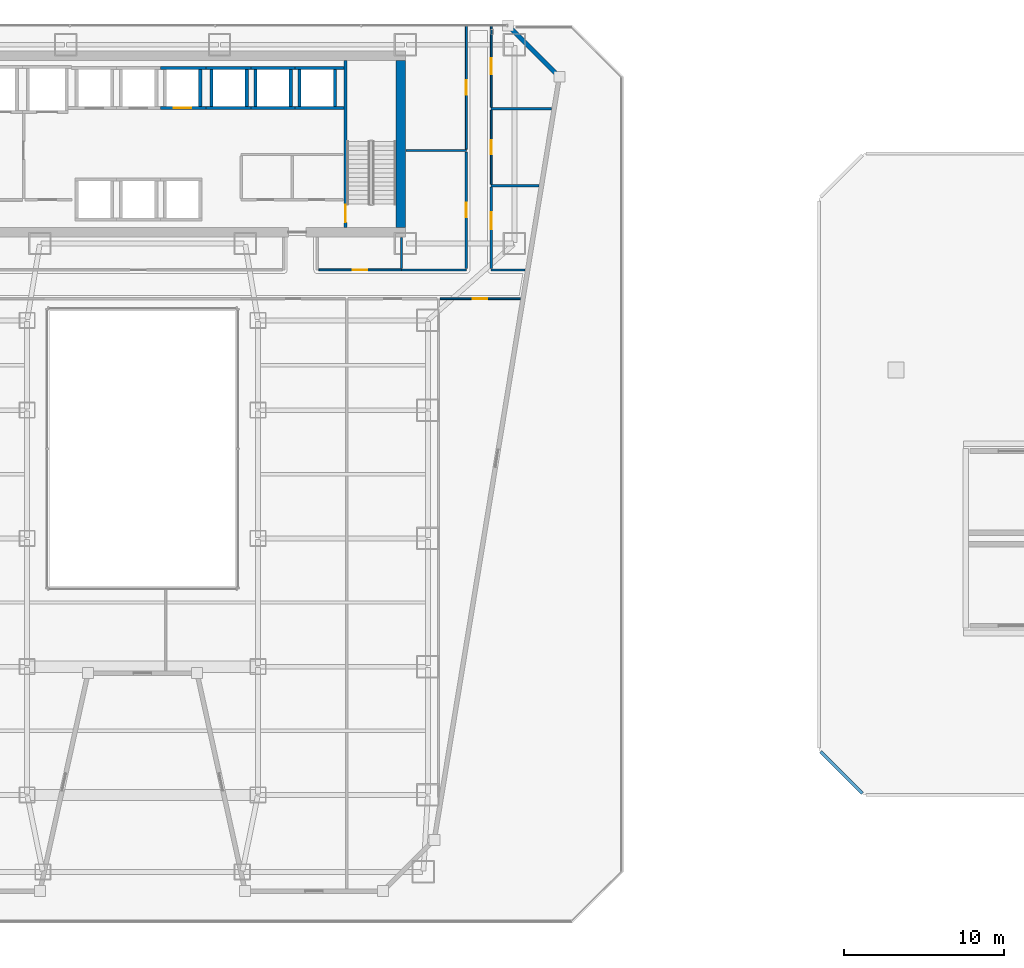
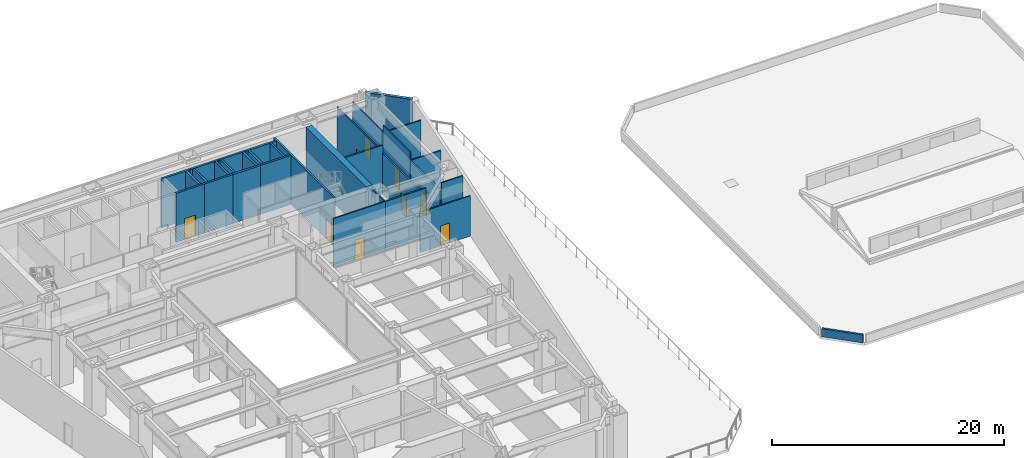
# One storey, part 23 of 29: 32 walls, 9 doors, 9 openings.
"""IFC4 building model written with IfcOpenShell, lengths in metres."""

import ifcopenshell
import ifcopenshell.guid

model = None  # the IFC model being written
_history = None  # IfcOwnerHistory: only IFC2X3 demands one
_inside = {}  # id of a spatial element -> (the spatial element, [elements in it])
_under = {}  # id of a project, library or spatial element -> (it, [spatial elements below it])
_declared = {}  # id of a project -> (the project, [libraries it declares])
_typed = {}  # id of a type object -> (the type object, [elements of that type])
_made_of = {}  # id of a material, layer set ... -> (it, [elements and type objects made of it])


def new_model(schema):
    """Start an empty IFC model of exactly this schema.

    Asked for "IFC4X3", IfcOpenShell would pick the latest addendum, in which some entities
    have other attributes; the version numbers below select the first issue.
    IFC2X3 requires an IfcOwnerHistory on every rooted entity: one is made here for all.
    """
    global model, _history
    if schema == "IFC4X3":
        model = ifcopenshell.file(schema_version=(4, 3, 0, 0))
    else:
        model = ifcopenshell.file(schema=schema)
    _inside.clear()
    _under.clear()
    _declared.clear()
    _typed.clear()
    _made_of.clear()
    _history = None
    if model.schema == "IFC2X3":
        org = make("IfcOrganization", Name="unknown")
        user = make(
            "IfcPersonAndOrganization",
            ThePerson=make("IfcPerson", FamilyName="unknown"),
            TheOrganization=org,
        )
        app = make(
            "IfcApplication",
            ApplicationDeveloper=org,
            Version="unknown",
            ApplicationFullName="unknown",
            ApplicationIdentifier="unknown",
        )
        _history = make(
            "IfcOwnerHistory",
            OwningUser=user,
            OwningApplication=app,
            ChangeAction="ADDED",
            CreationDate=0,
        )
    return model


def make(cls, **values):
    """One entity of the class cls with the attributes given. An attribute that is None is left unset."""
    return model.create_entity(
        cls, **{name: value for name, value in values.items() if value is not None}
    )


def rooted(cls, **values):
    """An entity with a GlobalId (a new one), such as an element, a storey or a relation."""
    return make(cls, GlobalId=ifcopenshell.guid.new(), OwnerHistory=_history, **values)


def si_unit(unit_type, name, prefix=None):
    """IfcSIUnit, for example si_unit("LENGTHUNIT", "METRE", prefix="MILLI")."""
    return make("IfcSIUnit", UnitType=unit_type, Prefix=prefix, Name=name)


def assignment(units):
    """IfcUnitAssignment: the units of a project."""
    return None if units is None else make("IfcUnitAssignment", Units=units)


def point(xyz):
    """IfcCartesianPoint."""
    return None if xyz is None else make("IfcCartesianPoint", Coordinates=xyz)


def direction(xyz):
    """IfcDirection."""
    return None if xyz is None else make("IfcDirection", DirectionRatios=xyz)


def frame(location, z_axis=None, x_axis=None):
    """IfcAxis2Placement3D, a coordinate frame: its origin and axes. An axis left out is left unset."""
    return make(
        "IfcAxis2Placement3D",
        Location=point(location),
        Axis=direction(z_axis),
        RefDirection=direction(x_axis),
    )


def frame_2d(location, x_axis=None):
    """IfcAxis2Placement2D, a coordinate frame in the plane: its origin and x axis."""
    return make(
        "IfcAxis2Placement2D", Location=point(location), RefDirection=direction(x_axis)
    )


def origin():
    """The frame at (0, 0, 0) with its axes left unset."""
    return frame((0.0, 0.0, 0.0))


def place(relative_to, where):
    """IfcLocalPlacement: puts the frame where relative to a parent placement (None: the world)."""
    return make(
        "IfcLocalPlacement", PlacementRelTo=relative_to, RelativePlacement=where
    )


def context(
    kind, dimensions, precision=None, world=None, true_north=None, identifier=None
):
    """IfcGeometricRepresentationContext, for example the 3D "Model" context."""
    return make(
        "IfcGeometricRepresentationContext",
        ContextIdentifier=identifier,
        ContextType=kind,
        CoordinateSpaceDimension=dimensions,
        Precision=precision,
        WorldCoordinateSystem=world,
        TrueNorth=true_north,
    )


def subcontext(parent, identifier, kind, view, scale=None):
    """IfcGeometricRepresentationSubContext, for example "Body" below "Model"."""
    return make(
        "IfcGeometricRepresentationSubContext",
        ContextIdentifier=identifier,
        ContextType=kind,
        ParentContext=parent,
        TargetScale=scale,
        TargetView=view,
    )


def project(units=None, contexts=None):
    """IfcProject with its units and contexts."""
    return rooted(
        "IfcProject",
        Name="project",
        RepresentationContexts=contexts,
        UnitsInContext=assignment(units),
    )


def spatial(cls, under=None, at=None, **own):
    """A site, building, storey or space (cls), placed at a placement, below another one or the project."""
    s = rooted(cls, ObjectPlacement=at, **own)
    if under is not None:
        _under.setdefault(under.id(), (under, []))[1].append(s)
    return s


def profile(cls, at=None, kind="AREA", **sizes):
    """A parametric profile (cls). Its sizes go by their IFC names, for example OverallWidth=200.0."""
    return make(cls, ProfileType=kind, Position=at, **sizes)


def rectangle(**sizes):
    """IfcRectangleProfileDef."""
    return profile("IfcRectangleProfileDef", **sizes)


def extrude(swept, where, along, depth):
    """IfcExtrudedAreaSolid: the profile swept, set in the frame where, extruded along a direction by depth."""
    return make(
        "IfcExtrudedAreaSolid",
        SweptArea=swept,
        Position=where,
        ExtrudedDirection=direction(along),
        Depth=depth,
    )


def shape(context_of_items, identifier, shape_type, items):
    """IfcShapeRepresentation: the items that make up one representation, for example the "Body"."""
    return make(
        "IfcShapeRepresentation",
        ContextOfItems=context_of_items,
        RepresentationIdentifier=identifier,
        RepresentationType=shape_type,
        Items=items,
    )


def material(Name=None, Category=None):
    """IfcMaterial."""
    return make("IfcMaterial", Name=Name, Category=Category)


def layer(
    of_material, thickness, ventilated=None, Name=None, Category=None, Priority=None
):
    """IfcMaterialLayer: one layer of a wall or slab, of a material (None: an air gap)."""
    return make(
        "IfcMaterialLayer",
        Material=of_material,
        LayerThickness=thickness,
        IsVentilated=ventilated,
        Name=Name,
        Category=Category,
        Priority=Priority,
    )


def layer_set(layers, Name=None):
    """IfcMaterialLayerSet."""
    return make("IfcMaterialLayerSet", MaterialLayers=layers, LayerSetName=Name)


def made_of(thing, what):
    """Note that an element or type object is made of a material, layer set ...; save() writes the relation."""
    if what is not None:
        _made_of.setdefault(what.id(), (what, []))[1].append(thing)
    return thing


def type_object(cls, material=None, **own):
    """A type object (cls), such as IfcWallType, which elements share."""
    return made_of(rooted(cls, **own), material)


def element(
    cls,
    number,
    at=None,
    inside=None,
    cuts=None,
    type_object=None,
    material=None,
    context=None,
    identifier="Body",
    shape_type=None,
    held_by="IfcProductDefinitionShape",
    body=None,
    shapes=None,
    **own,
):
    """One element of the class cls, such as IfcWall. Its Tag is "e" and its number.

    at: its placement. inside: the storey or other place that contains it. cuts: it is an
    opening in that element (IfcRelVoidsElement). A single representation is given by context,
    identifier, shape_type and body (its items); several are given by shapes. held_by: the class
    of the entity that holds the representations. save() writes the other relations.
    """
    e = rooted(cls, Tag="e%d" % number, ObjectPlacement=at, **own)
    if body is not None:
        shapes = [shape(context, identifier, shape_type, body)]
    if shapes is not None:
        e.Representation = make(held_by, Representations=shapes)
    if inside is not None:
        _inside.setdefault(inside.id(), (inside, []))[1].append(e)
    if cuts is not None:
        rooted(
            "IfcRelVoidsElement", RelatingBuildingElement=cuts, RelatedOpeningElement=e
        )
    if type_object is not None:
        _typed.setdefault(type_object.id(), (type_object, []))[1].append(e)
    return made_of(e, material)


def fill(opening, filler):
    """IfcRelFillsElement: the door or window that sits in an opening."""
    return rooted(
        "IfcRelFillsElement",
        RelatingOpeningElement=opening,
        RelatedBuildingElement=filler,
    )


def aggregate(whole, parts):
    """IfcRelAggregates: a whole, such as a stair, and the parts it consists of."""
    return rooted("IfcRelAggregates", RelatingObject=whole, RelatedObjects=parts)


def save(model, path):
    """Write the relations noted so far, then the file.

    IfcRelAggregates (storeys below a building ...), IfcRelContainedInSpatialStructure (elements
    in a storey), IfcRelDefinesByType, IfcRelAssociatesMaterial and IfcRelDeclares: one each for
    every whole, place, type object, material and project.
    """
    for whole, parts in _under.values():
        aggregate(whole, parts)
    for where, things in _inside.values():
        rooted(
            "IfcRelContainedInSpatialStructure",
            RelatedElements=things,
            RelatingStructure=where,
        )
    for kind, things in _typed.values():
        rooted("IfcRelDefinesByType", RelatedObjects=things, RelatingType=kind)
    for what, things in _made_of.values():
        rooted("IfcRelAssociatesMaterial", RelatedObjects=things, RelatingMaterial=what)
    for by, libraries in _declared.values():
        rooted("IfcRelDeclares", RelatingContext=by, RelatedDefinitions=libraries)
    model.write(path)


model = new_model("IFC4")

# Units and contexts
model_context = context("Model", 3, precision=1e-05, world=origin(), true_north=direction((0.0, 1.0)))
body_context = subcontext(model_context, "Body", "Model", "MODEL_VIEW")
ifc_project = project(units=[si_unit("LENGTHUNIT", "METRE"), si_unit("AREAUNIT", "SQUARE_METRE"), si_unit("VOLUMEUNIT", "CUBIC_METRE"), si_unit("PLANEANGLEUNIT", "RADIAN"), si_unit("MASSUNIT", "GRAM", prefix="KILO")], contexts=[model_context])

# Site, building, storey
site_placement = place(None, origin())
site = spatial("IfcSite", under=ifc_project, at=site_placement, CompositionType="ELEMENT")
building_placement = place(site_placement, origin())
building = spatial("IfcBuilding", under=site, at=building_placement, Name="Saevonmaru Cultural Tower", CompositionType="ELEMENT")
storey_placement = place(building_placement, frame((0.0, 0.0, 27.60009765625)))
storey = spatial("IfcBuildingStorey", under=building, at=storey_placement, Name="L05", CompositionType="ELEMENT", Elevation=27.60009765625)

# Walls
ifc_material_1 = material(Name="Concrete C60/75", Category="concrete")
ifc_layer_1 = layer(ifc_material_1, 0.60009765625, Name="Concrete C60/75")
ifc_layer_set_1 = layer_set([ifc_layer_1], Name="Concrete C60/75")
wall_type_1 = type_object("IfcWallType", Name="WL-CORE-600", PredefinedType="SHEAR", material=ifc_layer_set_1)
wall_1_placement = place(storey_placement, frame((46.10009765625, 43.39990234375, 0.0), z_axis=(0.0, 0.0, 1.0), x_axis=(0.0, 1.0, 0.0)))
element("IfcWall", 1, at=wall_1_placement, inside=storey, type_object=wall_type_1, Name="L05 Tower RC core shear wall E", PredefinedType="SHEAR", context=body_context, shape_type="SweptSolid", body=[
    extrude(rectangle(XDim=10.400146484375, YDim=0.60009765625, at=frame_2d((5.2001953125, 0.0))), origin(), (0.0, 0.0, 1.0), 5.14990234375),
])
ifc_material_2 = material(Name="Granite-Clad Precast Concrete C40/50", Category="masonry")
ifc_layer_2 = layer(ifc_material_2, 0.280029296875, Name="Granite-Clad Precast Concrete C40/50")
ifc_layer_set_2 = layer_set([ifc_layer_2], Name="Granite-Clad Precast Concrete C40/50")
wall_type_2 = type_object("IfcWallType", Name="WL-EXT-SPANDREL-280", PredefinedType="STANDARD", material=ifc_layer_set_2)
wall_2_placement = place(storey_placement, frame((55.886962890625, 52.9130859375, 0.0), z_axis=(0.0, 0.0, 1.0), x_axis=(-0.707106781187, 0.707106781187, 0.0)))
element("IfcWall", 2, at=wall_2_placement, inside=storey, type_object=wall_type_2, Name="L05 Setback Terrace Portal Wall E9", PredefinedType="STANDARD", context=body_context, shape_type="SweptSolid", body=[
    extrude(rectangle(XDim=4.205810546875, YDim=0.280029296875, at=frame_2d((2.10302734375, 0.0))), origin(), (0.0, 0.0, 1.0), 5.14990234375),
])
ifc_material_3 = material(Name="Precast concrete C40/50", Category="concrete")
ifc_layer_3 = layer(ifc_material_3, 0.18994140625, Name="Precast concrete C40/50")
ifc_layer_set_3 = layer_set([ifc_layer_3], Name="Precast concrete C40/50")
wall_type_3 = type_object("IfcWallType", Name="WL-PARAPET-190", PredefinedType="PARAPET", material=ifc_layer_set_3)
wall_3_placement = place(storey_placement, frame((72.299072265625, 10.700927734375, 0.0), z_axis=(0.0, 0.0, 1.0), x_axis=(0.707106781187, -0.707106781187, 0.0)))
element("IfcWall", 3, at=wall_3_placement, inside=storey, type_object=wall_type_3, Name="Central Library Roof Parapet Wall E1", PredefinedType="PARAPET", context=body_context, shape_type="SweptSolid", body=[
    extrude(rectangle(XDim=3.679443359375, YDim=0.18994140625, at=frame_2d((1.83984375, 0.0))), origin(), (0.0, 0.0, 1.0), 0.849853515625),
])

# Wall, opening, door
ifc_material_4 = material(Name="Gypsum Fireboard Partition", Category="gypsum")
ifc_layer_4 = layer(ifc_material_4, 0.14990234375, Name="Gypsum Fireboard Partition")
ifc_layer_set_4 = layer_set([ifc_layer_4], Name="Gypsum Fireboard Partition")
wall_type_4 = type_object("IfcWallType", Name="WL-PART-FIRE-150", PredefinedType="PARTITIONING", material=ifc_layer_set_4)
wall_4_placement = place(storey_placement, frame((51.75, 40.83740234375, 0.0), z_axis=(0.0, 0.0, 1.0), x_axis=(0.0, 1.0, 0.0)))
wall_4 = element("IfcWall", 4, at=wall_4_placement, inside=storey, type_object=wall_type_4, Name="L05 Permanent Exhibition Gallery Corridor Wall", PredefinedType="PARTITIONING", context=body_context, shape_type="SweptSolid", body=[
    extrude(rectangle(XDim=5.0751953125, YDim=0.14990234375, at=frame_2d((2.53759765625, 0.0))), origin(), (0.0, 0.0, 1.0), 4.23486328125),
])
opening_1_placement = place(wall_4_placement, frame((2.452880859375, 0.0, 0.0)))
opening_1 = element("IfcOpeningElement", 5, at=opening_1_placement, cuts=wall_4, Name="Opening ID-1", PredefinedType="OPENING", context=body_context, shape_type="SweptSolid", body=[
    extrude(rectangle(XDim=1.050048828125, YDim=2.14990234375, at=frame_2d((0.52490234375, 1.074951171875))), frame((0.0, 0.0849609375, 0.0), z_axis=(0.0, -1.0, 0.0), x_axis=(1.0, 0.0, 0.0)), (0.0, 0.0, 1.0), 0.169921875),
])
ifc_material_5 = material(Name="Satin Bronze Anodised Aluminium", Category="aluminium")
door_type_1 = type_object("IfcDoorType", Name="DR-INT-1050", OperationType="SINGLE_SWING_LEFT", PredefinedType="DOOR", material=ifc_material_5)
door_1_placement = place(opening_1_placement, origin())
door_1 = element("IfcDoor", 6, at=door_1_placement, inside=storey, type_object=door_type_1, Name="L05 Permanent Exhibition Gallery Door", OperationType="SINGLE_SWING_RIGHT", OverallHeight=2.14990234375, OverallWidth=1.050048828125, PredefinedType="DOOR", context=body_context, shape_type="SweptSolid", body=[
    extrude(rectangle(XDim=1.050048828125, YDim=2.14990234375, at=frame_2d((0.52490234375, 1.074951171875))), frame((0.0, 0.02490234375, 0.0), z_axis=(0.0, -1.0, 0.0), x_axis=(1.0, 0.0, 0.0)), (0.0, 0.0, 1.0), 0.050048828125),
])
fill(opening_1, door_1)

ifc_layer_5 = layer(ifc_material_4, 0.1201171875, Name="Gypsum Fireboard Partition")
ifc_layer_set_5 = layer_set([ifc_layer_5], Name="Gypsum Fireboard Partition")
wall_type_5 = type_object("IfcWallType", Name="WL-PART-GYP-120", PredefinedType="PARTITIONING", material=ifc_layer_set_5)
wall_5_placement = place(storey_placement, frame((50.199951171875, 48.2900390625, 0.0), z_axis=(0.0, 0.0, 1.0), x_axis=(0.0, 1.0, 0.0)))
wall_5 = element("IfcWall", 7, at=wall_5_placement, inside=storey, type_object=wall_type_5, Name="L05 Curatorial Research Office Corridor Wall", PredefinedType="PARTITIONING", context=body_context, shape_type="SweptSolid", body=[
    extrude(rectangle(XDim=7.705078125, YDim=0.1201171875, at=frame_2d((3.8525390625, 0.0))), origin(), (0.0, 0.0, 1.0), 4.434814453125),
])
opening_2_placement = place(wall_5_placement, frame((3.402099609375, 0.0, 0.0)))
opening_2 = element("IfcOpeningElement", 8, at=opening_2_placement, cuts=wall_5, Name="Opening ID-2", PredefinedType="OPENING", context=body_context, shape_type="SweptSolid", body=[
    extrude(rectangle(XDim=0.89990234375, YDim=2.10009765625, at=frame_2d((0.449951171875, 1.050048828125))), frame((0.0, 0.070068359375, 0.0), z_axis=(0.0, -1.0, 0.0), x_axis=(1.0, 0.0, 0.0)), (0.0, 0.0, 1.0), 0.14013671875),
])
ifc_material_6 = material(Name="Acoustic Stained Oak Timber", Category="wood")
door_type_2 = type_object("IfcDoorType", Name="DR-INT-900", OperationType="SINGLE_SWING_RIGHT", PredefinedType="DOOR", material=ifc_material_6)
door_2_placement = place(opening_2_placement, origin())
door_2 = element("IfcDoor", 9, at=door_2_placement, inside=storey, type_object=door_type_2, Name="L05 Curatorial Research Office Door", OperationType="SINGLE_SWING_LEFT", OverallHeight=2.10009765625, OverallWidth=0.89990234375, PredefinedType="DOOR", context=body_context, shape_type="SweptSolid", body=[
    extrude(rectangle(XDim=0.89990234375, YDim=2.10009765625, at=frame_2d((0.449951171875, 1.050048828125))), frame((0.0, 0.02490234375, 0.0), z_axis=(0.0, -1.0, 0.0), x_axis=(1.0, 0.0, 0.0)), (0.0, 0.0, 1.0), 0.050048828125),
])
fill(opening_2, door_2)

wall_6_placement = place(storey_placement, frame((51.75, 46.08740234375, 0.0), z_axis=(0.0, 0.0, 1.0), x_axis=(0.0, 1.0, 0.0)))
wall_6 = element("IfcWall", 10, at=wall_6_placement, inside=storey, type_object=wall_type_5, Name="L05 Design Seminar Classroom Corridor Wall", PredefinedType="PARTITIONING", context=body_context, shape_type="SweptSolid", body=[
    extrude(rectangle(XDim=4.625, YDim=0.1201171875, at=frame_2d((2.3125, 0.0))), origin(), (0.0, 0.0, 1.0), 5.14990234375),
])
opening_3_placement = place(wall_6_placement, frame((1.863037109375, 0.0, 0.0)))
opening_3 = element("IfcOpeningElement", 11, at=opening_3_placement, cuts=wall_6, Name="Opening ID-2", PredefinedType="OPENING", context=body_context, shape_type="SweptSolid", body=[
    extrude(rectangle(XDim=0.89990234375, YDim=2.10009765625, at=frame_2d((0.449951171875, 1.050048828125))), frame((0.0, 0.070068359375, 0.0), z_axis=(0.0, -1.0, 0.0), x_axis=(1.0, 0.0, 0.0)), (0.0, 0.0, 1.0), 0.14013671875),
])
door_3_placement = place(opening_3_placement, origin())
door_3 = element("IfcDoor", 12, at=door_3_placement, inside=storey, type_object=door_type_2, Name="L05 Design Seminar Classroom Door", OperationType="SINGLE_SWING_LEFT", OverallHeight=2.10009765625, OverallWidth=0.89990234375, PredefinedType="DOOR", context=body_context, shape_type="SweptSolid", body=[
    extrude(rectangle(XDim=0.89990234375, YDim=2.10009765625, at=frame_2d((0.449951171875, 1.050048828125))), frame((0.0, 0.02490234375, 0.0), z_axis=(0.0, -1.0, 0.0), x_axis=(1.0, 0.0, 0.0)), (0.0, 0.0, 1.0), 0.050048828125),
])
fill(opening_3, door_3)

wall_7_placement = place(storey_placement, frame((51.75, 50.887451171875, 0.0), z_axis=(0.0, 0.0, 1.0), x_axis=(0.0, 1.0, 0.0)))
wall_7 = element("IfcWall", 13, at=wall_7_placement, inside=storey, type_object=wall_type_5, Name="L05 Museum Espresso Cafe Corridor Wall", PredefinedType="PARTITIONING", context=body_context, shape_type="SweptSolid", body=[
    extrude(rectangle(XDim=5.107666015625, YDim=0.1201171875, at=frame_2d((2.5537109375, 0.0))), origin(), (0.0, 0.0, 1.0), 4.434814453125),
])
opening_4_placement = place(wall_7_placement, frame((2.053955078125, 0.0, 0.0)))
opening_4 = element("IfcOpeningElement", 14, at=opening_4_placement, cuts=wall_7, Name="Opening ID-1B", PredefinedType="OPENING", context=body_context, shape_type="SweptSolid", body=[
    extrude(rectangle(XDim=1.0, YDim=2.14990234375, at=frame_2d((0.5, 1.074951171875))), frame((0.0, 0.070068359375, 0.0), z_axis=(0.0, -1.0, 0.0), x_axis=(1.0, 0.0, 0.0)), (0.0, 0.0, 1.0), 0.14013671875),
])
door_type_3 = type_object("IfcDoorType", Name="DR-INT-1000", OperationType="SINGLE_SWING_RIGHT", PredefinedType="DOOR", material=ifc_material_6)
door_4_placement = place(opening_4_placement, origin())
door_4 = element("IfcDoor", 15, at=door_4_placement, inside=storey, type_object=door_type_3, Name="L05 Museum Espresso Cafe Door", OperationType="SINGLE_SWING_RIGHT", OverallHeight=2.14990234375, OverallWidth=1.0, PredefinedType="DOOR", context=body_context, shape_type="SweptSolid", body=[
    extrude(rectangle(XDim=1.0, YDim=2.14990234375, at=frame_2d((0.5, 1.074951171875))), frame((0.0, 0.02490234375, 0.0), z_axis=(0.0, -1.0, 0.0), x_axis=(1.0, 0.0, 0.0)), (0.0, 0.0, 1.0), 0.050048828125),
])
fill(opening_4, door_4)

wall_8_placement = place(storey_placement, frame((40.9951171875, 40.75, 0.0), z_axis=(0.0, 0.0, 1.0), x_axis=(1.0, 0.0, 0.0)))
wall_8 = element("IfcWall", 16, at=wall_8_placement, inside=storey, type_object=wall_type_5, Name="L05 Editorial Fellows Office Corridor Wall", PredefinedType="PARTITIONING", context=body_context, shape_type="SweptSolid", body=[
    extrude(rectangle(XDim=5.15478515625, YDim=0.1201171875, at=frame_2d((2.577392578125, 0.0))), origin(), (0.0, 0.0, 1.0), 5.14990234375),
])
opening_5_placement = place(wall_8_placement, frame((2.1279296875, 0.0, 0.0)))
opening_5 = element("IfcOpeningElement", 17, at=opening_5_placement, cuts=wall_8, Name="Opening ID-2", PredefinedType="OPENING", context=body_context, shape_type="SweptSolid", body=[
    extrude(rectangle(XDim=0.89990234375, YDim=2.10009765625, at=frame_2d((0.449951171875, 1.050048828125))), frame((0.0, 0.070068359375, 0.0), z_axis=(0.0, -1.0, 0.0), x_axis=(1.0, 0.0, 0.0)), (0.0, 0.0, 1.0), 0.14013671875),
])
door_5_placement = place(opening_5_placement, origin())
door_5 = element("IfcDoor", 18, at=door_5_placement, inside=storey, type_object=door_type_2, Name="L05 Editorial Fellows Office Door", OperationType="SINGLE_SWING_LEFT", OverallHeight=2.10009765625, OverallWidth=0.89990234375, PredefinedType="DOOR", context=body_context, shape_type="SweptSolid", body=[
    extrude(rectangle(XDim=0.89990234375, YDim=2.10009765625, at=frame_2d((0.449951171875, 1.050048828125))), frame((0.0, 0.02490234375, 0.0), z_axis=(0.0, -1.0, 0.0), x_axis=(1.0, 0.0, 0.0)), (0.0, 0.0, 1.0), 0.050048828125),
])
fill(opening_5, door_5)

wall_9_placement = place(storey_placement, frame((48.5576171875, 38.949951171875, 0.0), z_axis=(0.0, 0.0, 1.0), x_axis=(1.0, 0.0, 0.0)))
wall_9 = element("IfcWall", 19, at=wall_9_placement, inside=storey, type_object=wall_type_5, Name="L05 Design Seminar Classroom Corridor Wall", PredefinedType="PARTITIONING", context=body_context, shape_type="SweptSolid", body=[
    extrude(rectangle(XDim=5.0107421875, YDim=0.1201171875, at=frame_2d((2.50537109375, 0.0))), origin(), (0.0, 0.0, 1.0), 4.23486328125),
])
opening_6_placement = place(wall_9_placement, frame((2.054931640625, 0.0, 0.0)))
opening_6 = element("IfcOpeningElement", 20, at=opening_6_placement, cuts=wall_9, Name="Opening ID-2", PredefinedType="OPENING", context=body_context, shape_type="SweptSolid", body=[
    extrude(rectangle(XDim=0.89990234375, YDim=2.10009765625, at=frame_2d((0.449951171875, 1.050048828125))), frame((0.0, 0.070068359375, 0.0), z_axis=(0.0, -1.0, 0.0), x_axis=(1.0, 0.0, 0.0)), (0.0, 0.0, 1.0), 0.14013671875),
])
door_6_placement = place(opening_6_placement, origin())
door_6 = element("IfcDoor", 21, at=door_6_placement, inside=storey, type_object=door_type_2, Name="L05 Design Seminar Classroom Door", OperationType="SINGLE_SWING_RIGHT", OverallHeight=2.10009765625, OverallWidth=0.89990234375, PredefinedType="DOOR", context=body_context, shape_type="SweptSolid", body=[
    extrude(rectangle(XDim=0.89990234375, YDim=2.10009765625, at=frame_2d((0.449951171875, 1.050048828125))), frame((0.0, 0.02490234375, 0.0), z_axis=(0.0, -1.0, 0.0), x_axis=(1.0, 0.0, 0.0)), (0.0, 0.0, 1.0), 0.050048828125),
])
fill(opening_6, door_6)

# Walls
ifc_layer_6 = layer(ifc_material_4, 0.135009765625, Name="Gypsum Fireboard Partition")
ifc_layer_set_6 = layer_set([ifc_layer_6], Name="Gypsum Fireboard Partition")
wall_type_6 = type_object("IfcWallType", Name="WL-PART-GYP-135", PredefinedType="PARTITIONING", material=ifc_layer_set_6)
wall_10_placement = place(storey_placement, frame((51.75, 40.75, 0.0), z_axis=(0.0, 0.0, 1.0), x_axis=(1.0, 0.0, 0.0)))
element("IfcWall", 22, at=wall_10_placement, inside=storey, type_object=wall_type_6, Name="L05 NE Wing South Wall", PredefinedType="PARTITIONING", context=body_context, shape_type="SweptSolid", body=[
    extrude(rectangle(XDim=2.11328125, YDim=0.135009765625, at=frame_2d((1.056640625, 0.0))), origin(), (0.0, 0.0, 1.0), 5.14990234375),
])
wall_11_placement = place(storey_placement, frame((51.75, 46.0, 0.0), z_axis=(0.0, 0.0, 1.0), x_axis=(1.0, 0.0, 0.0)))
element("IfcWall", 23, at=wall_11_placement, inside=storey, type_object=wall_type_6, Name="L05 NE Studio Divider 1", PredefinedType="PARTITIONING", context=body_context, shape_type="SweptSolid", body=[
    extrude(rectangle(XDim=2.9736328125, YDim=0.135009765625, at=frame_2d((1.48681640625, 0.0))), origin(), (0.0, 0.0, 1.0), 4.3349609375),
])
wall_12_placement = place(storey_placement, frame((51.75, 50.800048828125, 0.0), z_axis=(0.0, 0.0, 1.0), x_axis=(1.0, 0.0, 0.0)))
element("IfcWall", 24, at=wall_12_placement, inside=storey, type_object=wall_type_6, Name="L05 NE Studio Divider 2", PredefinedType="PARTITIONING", context=body_context, shape_type="SweptSolid", body=[
    extrude(rectangle(XDim=3.760009765625, YDim=0.135009765625, at=frame_2d((1.8798828125, 0.0))), origin(), (0.0, 0.0, 1.0), 4.3349609375),
])
ifc_layer_7 = layer(ifc_material_4, 0.139892578125, Name="Gypsum Fireboard Partition")
ifc_layer_set_7 = layer_set([ifc_layer_7], Name="Gypsum Fireboard Partition")
wall_type_7 = type_object("IfcWallType", Name="WL-PART-WET-140", PredefinedType="PARTITIONING", material=ifc_layer_set_7)
wall_13_placement = place(storey_placement, frame((46.14990234375, 40.75, 0.0), z_axis=(0.0, 0.0, 1.0), x_axis=(1.0, 0.0, 0.0)))
element("IfcWall", 25, at=wall_13_placement, inside=storey, type_object=wall_type_7, Name="L05 Washroom South Wall", PredefinedType="PARTITIONING", context=body_context, shape_type="SweptSolid", body=[
    extrude(rectangle(XDim=4.050048828125, YDim=0.139892578125, at=frame_2d((2.02490234375, 0.0))), origin(), (0.0, 0.0, 1.0), 5.14990234375),
])
wall_14_placement = place(storey_placement, frame((46.14990234375, 40.840087890625, 0.0), z_axis=(0.0, 0.0, 1.0), x_axis=(0.0, 1.0, 0.0)))
element("IfcWall", 26, at=wall_14_placement, inside=storey, type_object=wall_type_7, Name="L05 Washroom South-West Return", PredefinedType="PARTITIONING", context=body_context, shape_type="SweptSolid", body=[
    extrude(rectangle(XDim=1.93994140625, YDim=0.139892578125, at=frame_2d((0.969970703125, 0.0))), origin(), (0.0, 0.0, 1.0), 5.14990234375),
])
wall_15_placement = place(storey_placement, frame((46.419921875, 48.199951171875, 0.0), z_axis=(0.0, 0.0, 1.0), x_axis=(1.0, 0.0, 0.0)))
element("IfcWall", 27, at=wall_15_placement, inside=storey, type_object=wall_type_7, Name="L05 Washroom North Wall", PredefinedType="PARTITIONING", context=body_context, shape_type="SweptSolid", body=[
    extrude(rectangle(XDim=3.780029296875, YDim=0.139892578125, at=frame_2d((1.89013671875, 0.0))), origin(), (0.0, 0.0, 1.0), 5.14990234375),
])

# Wall, opening, door
wall_16_placement = place(storey_placement, frame((50.199951171875, 40.840087890625, 0.0), z_axis=(0.0, 0.0, 1.0), x_axis=(0.0, 1.0, 0.0)))
wall_16 = element("IfcWall", 28, at=wall_16_placement, inside=storey, type_object=wall_type_7, Name="L05 Washroom Corridor Wall", PredefinedType="PARTITIONING", context=body_context, shape_type="SweptSolid", body=[
    extrude(rectangle(XDim=7.27001953125, YDim=0.139892578125, at=frame_2d((3.635009765625, 0.0))), origin(), (0.0, 0.0, 1.0), 4.3349609375),
])
opening_7_placement = place(wall_16_placement, frame((3.18505859375, 0.0, 0.0)))
opening_7 = element("IfcOpeningElement", 29, at=opening_7_placement, cuts=wall_16, Name="Opening ID-2", PredefinedType="OPENING", context=body_context, shape_type="SweptSolid", body=[
    extrude(rectangle(XDim=0.89990234375, YDim=2.10009765625, at=frame_2d((0.449951171875, 1.050048828125))), frame((0.0, 0.080078125, 0.0), z_axis=(0.0, -1.0, 0.0), x_axis=(1.0, 0.0, 0.0)), (0.0, 0.0, 1.0), 0.159912109375),
])
door_7_placement = place(opening_7_placement, origin())
door_7 = element("IfcDoor", 30, at=door_7_placement, inside=storey, type_object=door_type_2, Name="L05 Public Accessible Washrooms Door", OperationType="SINGLE_SWING_RIGHT", OverallHeight=2.10009765625, OverallWidth=0.89990234375, PredefinedType="DOOR", context=body_context, shape_type="SweptSolid", body=[
    extrude(rectangle(XDim=0.89990234375, YDim=2.10009765625, at=frame_2d((0.449951171875, 1.050048828125))), frame((0.0, 0.02490234375, 0.0), z_axis=(0.0, -1.0, 0.0), x_axis=(1.0, 0.0, 0.0)), (0.0, 0.0, 1.0), 0.050048828125),
])
fill(opening_7, door_7)

ifc_material_7 = material(Name="Concrete C40/50", Category="concrete")
ifc_layer_8 = layer(ifc_material_7, 0.199951171875, Name="Concrete C40/50")
ifc_layer_set_8 = layer_set([ifc_layer_8], Name="Concrete C40/50")
wall_type_8 = type_object("IfcWallType", Name="WL-SHAFT-200", PredefinedType="SHEAR", material=ifc_layer_set_8)
wall_17_placement = place(storey_placement, frame((31.125, 50.85009765625, 0.0), z_axis=(0.0, 0.0, 1.0), x_axis=(1.0, 0.0, 0.0)))
wall_17 = element("IfcWall", 31, at=wall_17_placement, inside=storey, type_object=wall_type_8, Name="L05 Lift PL-L3 Hoistway Wall S", PredefinedType="SHEAR", context=body_context, shape_type="SweptSolid", body=[
    extrude(rectangle(XDim=2.824951171875, YDim=0.199951171875, at=frame_2d((1.41259765625, 0.0))), origin(), (0.0, 0.0, 1.0), 5.14990234375),
])
opening_8_placement = place(wall_17_placement, frame((0.824951171875, 0.0, 0.0)))
opening_8 = element("IfcOpeningElement", 32, at=opening_8_placement, cuts=wall_17, Name="Opening LD-1", PredefinedType="OPENING", context=body_context, shape_type="SweptSolid", body=[
    extrude(rectangle(XDim=1.10009765625, YDim=2.199951171875, at=frame_2d((0.550048828125, 1.10009765625))), frame((0.0, 0.10986328125, 0.0), z_axis=(0.0, -1.0, 0.0), x_axis=(1.0, 0.0, 0.0)), (0.0, 0.0, 1.0), 0.219970703125),
])
ifc_material_8 = material(Name="Satin Bronze Stainless Steel", Category="steel")
door_type_4 = type_object("IfcDoorType", Name="DR-LIFT-1100", OperationType="SLIDING_TO_LEFT", PredefinedType="DOOR", material=ifc_material_8)
door_8_placement = place(opening_8_placement, origin())
door_8 = element("IfcDoor", 33, at=door_8_placement, inside=storey, type_object=door_type_4, Name="L05 Lift PL-L3 Sliding Landing Door", OperationType="SLIDING_TO_LEFT", OverallHeight=2.199951171875, OverallWidth=1.10009765625, PredefinedType="DOOR", context=body_context, shape_type="SweptSolid", body=[
    extrude(rectangle(XDim=1.10009765625, YDim=2.199951171875, at=frame_2d((0.550048828125, 1.10009765625))), frame((0.0, 0.02490234375, 0.0), z_axis=(0.0, -1.0, 0.0), x_axis=(1.0, 0.0, 0.0)), (0.0, 0.0, 1.0), 0.050048828125),
])
fill(opening_8, door_8)

# Walls
wall_18_placement = place(storey_placement, frame((31.125, 53.35009765625, 0.0), z_axis=(0.0, 0.0, 1.0), x_axis=(1.0, 0.0, 0.0)))
element("IfcWall", 34, at=wall_18_placement, inside=storey, type_object=wall_type_8, Name="L05 Lift PL-L3 Hoistway Wall N", PredefinedType="SHEAR", context=body_context, shape_type="SweptSolid", body=[
    extrude(rectangle(XDim=2.824951171875, YDim=0.199951171875, at=frame_2d((1.41259765625, 0.0))), origin(), (0.0, 0.0, 1.0), 5.14990234375),
])
wall_19_placement = place(storey_placement, frame((33.60009765625, 50.949951171875, 0.0), z_axis=(0.0, 0.0, 1.0), x_axis=(0.0, 1.0, 0.0)))
element("IfcWall", 35, at=wall_19_placement, inside=storey, type_object=wall_type_8, Name="L05 Lift PL-L3 Hoistway Wall E", PredefinedType="SHEAR", context=body_context, shape_type="SweptSolid", body=[
    extrude(rectangle(XDim=2.300048828125, YDim=0.199951171875, at=frame_2d((1.14990234375, 0.0))), origin(), (0.0, 0.0, 1.0), 5.14990234375),
])
for number, where, z_axis, x_axis, name in (
    (36, (33.949951171875, 50.85009765625, 0.0), (0.0, 0.0, 1.0), (1.0, 0.0, 0.0), "L05 Lift PL-H1 Hoistway Wall S"),
    (37, (33.949951171875, 53.35009765625, 0.0), (0.0, 0.0, 1.0), (1.0, 0.0, 0.0), "L05 Lift PL-H1 Hoistway Wall N"),
):
    element("IfcWall", number, at=place(storey_placement, frame(where, z_axis=z_axis, x_axis=x_axis)), inside=storey, type_object=wall_type_8, Name=name, PredefinedType="SHEAR", context=body_context, shape_type="SweptSolid", body=[
        extrude(rectangle(XDim=2.824951171875, YDim=0.199951171875, at=frame_2d((1.41259765625, 0.0))), origin(), (0.0, 0.0, 1.0), 5.14990234375),
    ])
for number, where, z_axis, x_axis, name in (
    (38, (34.300048828125, 50.949951171875, 0.0), (0.0, 0.0, 1.0), (0.0, 1.0, 0.0), "L05 Lift PL-H1 Hoistway Wall W"),
    (39, (36.5, 50.949951171875, 0.0), (0.0, 0.0, 1.0), (0.0, 1.0, 0.0), "L05 Lift PL-H1 Hoistway Wall E"),
):
    element("IfcWall", number, at=place(storey_placement, frame(where, z_axis=z_axis, x_axis=x_axis)), inside=storey, type_object=wall_type_8, Name=name, PredefinedType="SHEAR", context=body_context, shape_type="SweptSolid", body=[
        extrude(rectangle(XDim=2.300048828125, YDim=0.199951171875, at=frame_2d((1.14990234375, 0.0))), origin(), (0.0, 0.0, 1.0), 5.14990234375),
    ])
for number, where, z_axis, x_axis, name in (
    (40, (36.77490234375, 50.85009765625, 0.0), (0.0, 0.0, 1.0), (1.0, 0.0, 0.0), "L05 Lift PL-H2 Hoistway Wall S"),
    (41, (36.77490234375, 53.35009765625, 0.0), (0.0, 0.0, 1.0), (1.0, 0.0, 0.0), "L05 Lift PL-H2 Hoistway Wall N"),
):
    element("IfcWall", number, at=place(storey_placement, frame(where, z_axis=z_axis, x_axis=x_axis)), inside=storey, type_object=wall_type_8, Name=name, PredefinedType="SHEAR", context=body_context, shape_type="SweptSolid", body=[
        extrude(rectangle(XDim=2.75, YDim=0.199951171875, at=frame_2d((1.375, 0.0))), origin(), (0.0, 0.0, 1.0), 5.14990234375),
    ])
for number, where, z_axis, x_axis, name in (
    (42, (37.050048828125, 50.949951171875, 0.0), (0.0, 0.0, 1.0), (0.0, 1.0, 0.0), "L05 Lift PL-H2 Hoistway Wall W"),
    (43, (39.25, 50.949951171875, 0.0), (0.0, 0.0, 1.0), (0.0, 1.0, 0.0), "L05 Lift PL-H2 Hoistway Wall E"),
):
    element("IfcWall", number, at=place(storey_placement, frame(where, z_axis=z_axis, x_axis=x_axis)), inside=storey, type_object=wall_type_8, Name=name, PredefinedType="SHEAR", context=body_context, shape_type="SweptSolid", body=[
        extrude(rectangle(XDim=2.300048828125, YDim=0.199951171875, at=frame_2d((1.14990234375, 0.0))), origin(), (0.0, 0.0, 1.0), 5.14990234375),
    ])
for number, where, z_axis, x_axis, name in (
    (44, (39.52490234375, 50.85009765625, 0.0), (0.0, 0.0, 1.0), (1.0, 0.0, 0.0), "L05 Lift PL-H3 Hoistway Wall S"),
    (45, (39.52490234375, 53.35009765625, 0.0), (0.0, 0.0, 1.0), (1.0, 0.0, 0.0), "L05 Lift PL-H3 Hoistway Wall N"),
):
    element("IfcWall", number, at=place(storey_placement, frame(where, z_axis=z_axis, x_axis=x_axis)), inside=storey, type_object=wall_type_8, Name=name, PredefinedType="SHEAR", context=body_context, shape_type="SweptSolid", body=[
        extrude(rectangle(XDim=3.045166015625, YDim=0.199951171875, at=frame_2d((1.5224609375, 0.0))), origin(), (0.0, 0.0, 1.0), 5.14990234375),
    ])
for number, where, z_axis, x_axis, name in (
    (46, (39.800048828125, 50.949951171875, 0.0), (0.0, 0.0, 1.0), (0.0, 1.0, 0.0), "L05 Lift PL-H3 Hoistway Wall W"),
    (47, (42.0, 50.949951171875, 0.0), (0.0, 0.0, 1.0), (0.0, 1.0, 0.0), "L05 Lift PL-H3 Hoistway Wall E"),
):
    element("IfcWall", number, at=place(storey_placement, frame(where, z_axis=z_axis, x_axis=x_axis)), inside=storey, type_object=wall_type_8, Name=name, PredefinedType="SHEAR", context=body_context, shape_type="SweptSolid", body=[
        extrude(rectangle(XDim=2.300048828125, YDim=0.199951171875, at=frame_2d((1.14990234375, 0.0))), origin(), (0.0, 0.0, 1.0), 5.14990234375),
    ])

# Wall, opening, door
ifc_layer_9 = layer(ifc_material_7, 0.179931640625, Name="Concrete C40/50")
ifc_layer_set_9 = layer_set([ifc_layer_9], Name="Concrete C40/50")
wall_type_9 = type_object("IfcWallType", Name="WL-STSHAFT-180", PredefinedType="SHEAR", material=ifc_layer_set_9)
wall_20_placement = place(storey_placement, frame((42.659912109375, 53.800048828125, 0.0), z_axis=(0.0, 0.0, 1.0), x_axis=(0.0, -1.0, 0.0)))
wall_20 = element("IfcWall", 48, at=wall_20_placement, inside=storey, type_object=wall_type_9, Name="L05 Stair ST-2 Structural Shaft Wall 1", PredefinedType="SHEAR", context=body_context, shape_type="SweptSolid", body=[
    extrude(rectangle(XDim=10.400146484375, YDim=0.179931640625, at=frame_2d((5.2001953125, 0.0))), origin(), (0.0, 0.0, 1.0), 5.14990234375),
])
opening_9_placement = place(wall_20_placement, frame((8.989990234375, 0.0, 0.0)))
opening_9 = element("IfcOpeningElement", 49, at=opening_9_placement, cuts=wall_20, Name="Opening FD-2", PredefinedType="OPENING", context=body_context, shape_type="SweptSolid", body=[
    extrude(rectangle(XDim=1.10009765625, YDim=2.14990234375, at=frame_2d((0.550048828125, 1.074951171875))), frame((0.0, 0.10009765625, 0.0), z_axis=(0.0, -1.0, 0.0), x_axis=(1.0, 0.0, 0.0)), (0.0, 0.0, 1.0), 0.199951171875),
])
door_type_5 = type_object("IfcDoorType", Name="DR-FD60-1100", OperationType="SINGLE_SWING_LEFT", PredefinedType="DOOR", material=ifc_material_5)
door_9_placement = place(opening_9_placement, origin())
door_9 = element("IfcDoor", 50, at=door_9_placement, inside=storey, type_object=door_type_5, Name="L05 Protected Stair ST-2 Fire Door", OperationType="SINGLE_SWING_LEFT", OverallHeight=2.14990234375, OverallWidth=1.10009765625, PredefinedType="DOOR", context=body_context, shape_type="SweptSolid", body=[
    extrude(rectangle(XDim=1.10009765625, YDim=2.14990234375, at=frame_2d((0.550048828125, 1.074951171875))), frame((0.0, 0.02490234375, 0.0), z_axis=(0.0, -1.0, 0.0), x_axis=(1.0, 0.0, 0.0)), (0.0, 0.0, 1.0), 0.050048828125),
])
fill(opening_9, door_9)

save(model, "model.ifc")
